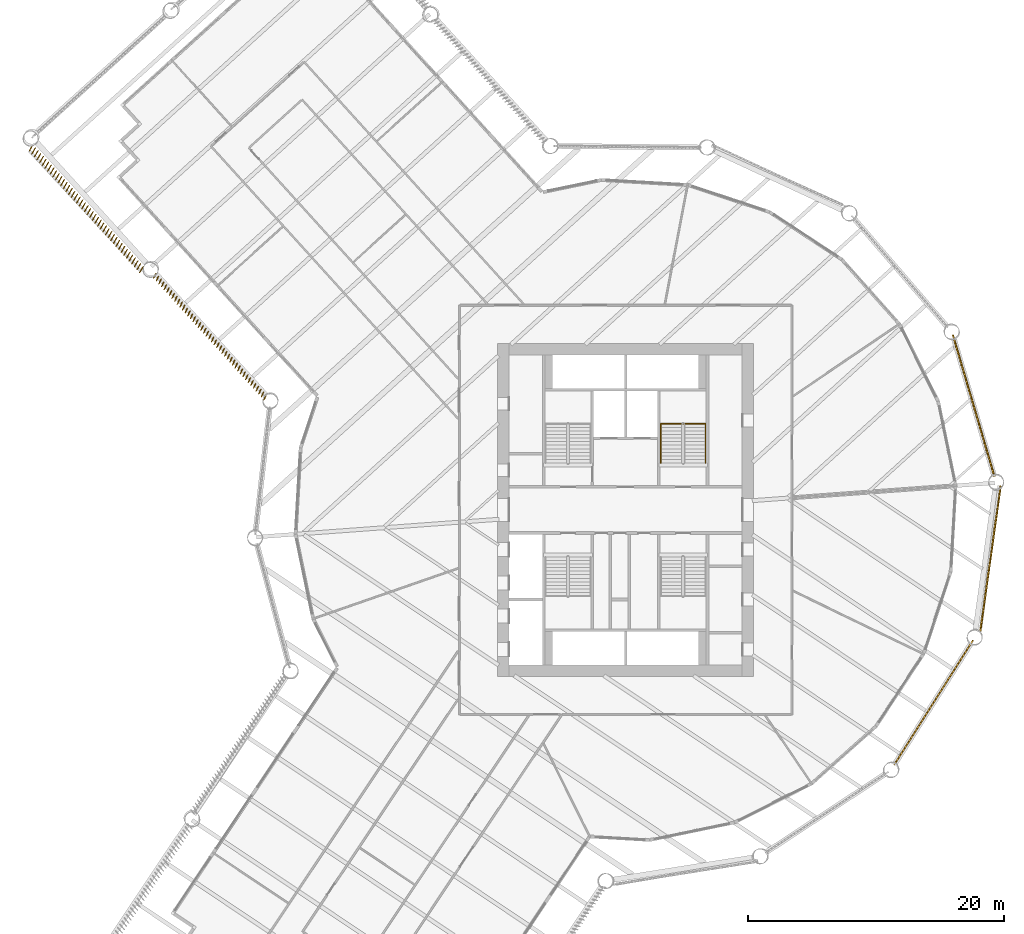
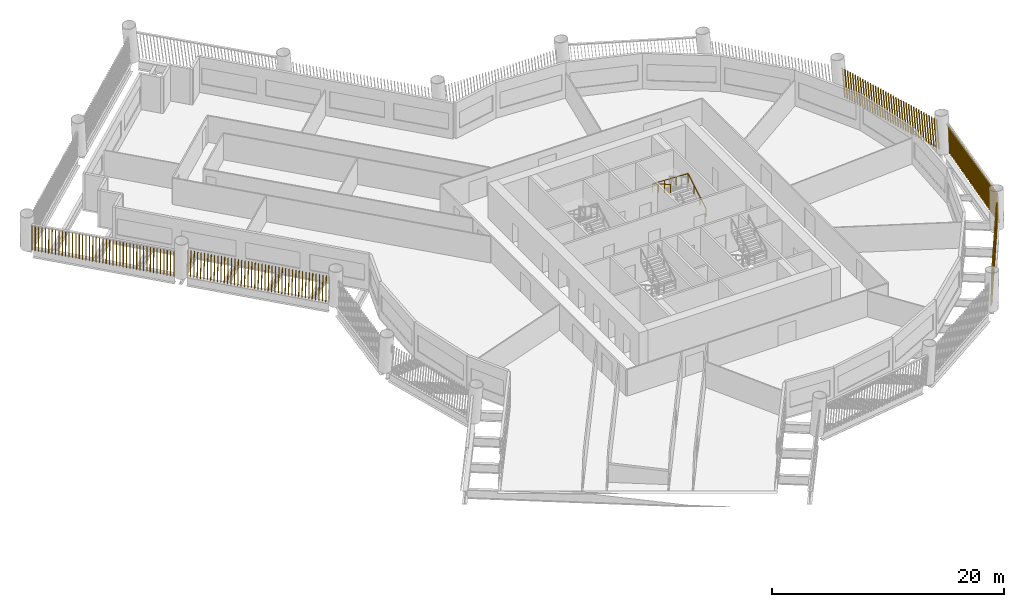
# One storey, part 13 of 15: 5 shading devices, 1 railing.
"""IFC4 building model written with IfcOpenShell, lengths in metres."""

import ifcopenshell
import ifcopenshell.guid

model = None  # the IFC model being written
_history = None  # IfcOwnerHistory: only IFC2X3 demands one
_inside = {}  # id of a spatial element -> (the spatial element, [elements in it])
_under = {}  # id of a project, library or spatial element -> (it, [spatial elements below it])
_declared = {}  # id of a project -> (the project, [libraries it declares])
_typed = {}  # id of a type object -> (the type object, [elements of that type])
_made_of = {}  # id of a material, layer set ... -> (it, [elements and type objects made of it])


def new_model(schema):
    """Start an empty IFC model of exactly this schema.

    Asked for "IFC4X3", IfcOpenShell would pick the latest addendum, in which some entities
    have other attributes; the version numbers below select the first issue.
    IFC2X3 requires an IfcOwnerHistory on every rooted entity: one is made here for all.
    """
    global model, _history
    if schema == "IFC4X3":
        model = ifcopenshell.file(schema_version=(4, 3, 0, 0))
    else:
        model = ifcopenshell.file(schema=schema)
    _inside.clear()
    _under.clear()
    _declared.clear()
    _typed.clear()
    _made_of.clear()
    _history = None
    if model.schema == "IFC2X3":
        org = make("IfcOrganization", Name="unknown")
        user = make(
            "IfcPersonAndOrganization",
            ThePerson=make("IfcPerson", FamilyName="unknown"),
            TheOrganization=org,
        )
        app = make(
            "IfcApplication",
            ApplicationDeveloper=org,
            Version="unknown",
            ApplicationFullName="unknown",
            ApplicationIdentifier="unknown",
        )
        _history = make(
            "IfcOwnerHistory",
            OwningUser=user,
            OwningApplication=app,
            ChangeAction="ADDED",
            CreationDate=0,
        )
    return model


def make(cls, **values):
    """One entity of the class cls with the attributes given. An attribute that is None is left unset."""
    return model.create_entity(
        cls, **{name: value for name, value in values.items() if value is not None}
    )


def rooted(cls, **values):
    """An entity with a GlobalId (a new one), such as an element, a storey or a relation."""
    return make(cls, GlobalId=ifcopenshell.guid.new(), OwnerHistory=_history, **values)


def si_unit(unit_type, name, prefix=None):
    """IfcSIUnit, for example si_unit("LENGTHUNIT", "METRE", prefix="MILLI")."""
    return make("IfcSIUnit", UnitType=unit_type, Prefix=prefix, Name=name)


def assignment(units):
    """IfcUnitAssignment: the units of a project."""
    return None if units is None else make("IfcUnitAssignment", Units=units)


def point(xyz):
    """IfcCartesianPoint."""
    return None if xyz is None else make("IfcCartesianPoint", Coordinates=xyz)


def direction(xyz):
    """IfcDirection."""
    return None if xyz is None else make("IfcDirection", DirectionRatios=xyz)


def frame(location, z_axis=None, x_axis=None):
    """IfcAxis2Placement3D, a coordinate frame: its origin and axes. An axis left out is left unset."""
    return make(
        "IfcAxis2Placement3D",
        Location=point(location),
        Axis=direction(z_axis),
        RefDirection=direction(x_axis),
    )


def frame_2d(location, x_axis=None):
    """IfcAxis2Placement2D, a coordinate frame in the plane: its origin and x axis."""
    return make(
        "IfcAxis2Placement2D", Location=point(location), RefDirection=direction(x_axis)
    )


def origin():
    """The frame at (0, 0, 0) with its axes left unset."""
    return frame((0.0, 0.0, 0.0))


def origin_2d():
    """The frame at (0, 0) in the plane with its x axis left unset."""
    return frame_2d((0.0, 0.0))


def place(relative_to, where):
    """IfcLocalPlacement: puts the frame where relative to a parent placement (None: the world)."""
    return make(
        "IfcLocalPlacement", PlacementRelTo=relative_to, RelativePlacement=where
    )


def context(
    kind, dimensions, precision=None, world=None, true_north=None, identifier=None
):
    """IfcGeometricRepresentationContext, for example the 3D "Model" context."""
    return make(
        "IfcGeometricRepresentationContext",
        ContextIdentifier=identifier,
        ContextType=kind,
        CoordinateSpaceDimension=dimensions,
        Precision=precision,
        WorldCoordinateSystem=world,
        TrueNorth=true_north,
    )


def subcontext(parent, identifier, kind, view, scale=None):
    """IfcGeometricRepresentationSubContext, for example "Body" below "Model"."""
    return make(
        "IfcGeometricRepresentationSubContext",
        ContextIdentifier=identifier,
        ContextType=kind,
        ParentContext=parent,
        TargetScale=scale,
        TargetView=view,
    )


def project(units=None, contexts=None):
    """IfcProject with its units and contexts."""
    return rooted(
        "IfcProject",
        Name="project",
        RepresentationContexts=contexts,
        UnitsInContext=assignment(units),
    )


def spatial(cls, under=None, at=None, **own):
    """A site, building, storey or space (cls), placed at a placement, below another one or the project."""
    s = rooted(cls, ObjectPlacement=at, **own)
    if under is not None:
        _under.setdefault(under.id(), (under, []))[1].append(s)
    return s


def profile(cls, at=None, kind="AREA", **sizes):
    """A parametric profile (cls). Its sizes go by their IFC names, for example OverallWidth=200.0."""
    return make(cls, ProfileType=kind, Position=at, **sizes)


def rectangle(**sizes):
    """IfcRectangleProfileDef."""
    return profile("IfcRectangleProfileDef", **sizes)


def circle(**sizes):
    """IfcCircleProfileDef."""
    return profile("IfcCircleProfileDef", **sizes)


def composite_profile(profiles, kind="AREA"):
    """IfcCompositeProfileDef: several profiles as one."""
    return make("IfcCompositeProfileDef", ProfileType=kind, Profiles=profiles)


def extrude(swept, where, along, depth):
    """IfcExtrudedAreaSolid: the profile swept, set in the frame where, extruded along a direction by depth."""
    return make(
        "IfcExtrudedAreaSolid",
        SweptArea=swept,
        Position=where,
        ExtrudedDirection=direction(along),
        Depth=depth,
    )


def shape(context_of_items, identifier, shape_type, items):
    """IfcShapeRepresentation: the items that make up one representation, for example the "Body"."""
    return make(
        "IfcShapeRepresentation",
        ContextOfItems=context_of_items,
        RepresentationIdentifier=identifier,
        RepresentationType=shape_type,
        Items=items,
    )


def material(Name=None, Category=None):
    """IfcMaterial."""
    return make("IfcMaterial", Name=Name, Category=Category)


def made_of(thing, what):
    """Note that an element or type object is made of a material, layer set ...; save() writes the relation."""
    if what is not None:
        _made_of.setdefault(what.id(), (what, []))[1].append(thing)
    return thing


def type_object(cls, material=None, **own):
    """A type object (cls), such as IfcWallType, which elements share."""
    return made_of(rooted(cls, **own), material)


def element(
    cls,
    number,
    at=None,
    inside=None,
    cuts=None,
    type_object=None,
    material=None,
    context=None,
    identifier="Body",
    shape_type=None,
    held_by="IfcProductDefinitionShape",
    body=None,
    shapes=None,
    **own,
):
    """One element of the class cls, such as IfcWall. Its Tag is "e" and its number.

    at: its placement. inside: the storey or other place that contains it. cuts: it is an
    opening in that element (IfcRelVoidsElement). A single representation is given by context,
    identifier, shape_type and body (its items); several are given by shapes. held_by: the class
    of the entity that holds the representations. save() writes the other relations.
    """
    e = rooted(cls, Tag="e%d" % number, ObjectPlacement=at, **own)
    if body is not None:
        shapes = [shape(context, identifier, shape_type, body)]
    if shapes is not None:
        e.Representation = make(held_by, Representations=shapes)
    if inside is not None:
        _inside.setdefault(inside.id(), (inside, []))[1].append(e)
    if cuts is not None:
        rooted(
            "IfcRelVoidsElement", RelatingBuildingElement=cuts, RelatedOpeningElement=e
        )
    if type_object is not None:
        _typed.setdefault(type_object.id(), (type_object, []))[1].append(e)
    return made_of(e, material)


def aggregate(whole, parts):
    """IfcRelAggregates: a whole, such as a stair, and the parts it consists of."""
    return rooted("IfcRelAggregates", RelatingObject=whole, RelatedObjects=parts)


def save(model, path):
    """Write the relations noted so far, then the file.

    IfcRelAggregates (storeys below a building ...), IfcRelContainedInSpatialStructure (elements
    in a storey), IfcRelDefinesByType, IfcRelAssociatesMaterial and IfcRelDeclares: one each for
    every whole, place, type object, material and project.
    """
    for whole, parts in _under.values():
        aggregate(whole, parts)
    for where, things in _inside.values():
        rooted(
            "IfcRelContainedInSpatialStructure",
            RelatedElements=things,
            RelatingStructure=where,
        )
    for kind, things in _typed.values():
        rooted("IfcRelDefinesByType", RelatedObjects=things, RelatingType=kind)
    for what, things in _made_of.values():
        rooted("IfcRelAssociatesMaterial", RelatedObjects=things, RelatingMaterial=what)
    for by, libraries in _declared.values():
        rooted("IfcRelDeclares", RelatingContext=by, RelatedDefinitions=libraries)
    model.write(path)


model = new_model("IFC4")

# Units and contexts
model_context = context("Model", 3, precision=1e-05, world=origin(), true_north=direction((0.0, 1.0)))
body_context = subcontext(model_context, "Body", "Model", "MODEL_VIEW")
ifc_project = project(units=[si_unit("LENGTHUNIT", "METRE"), si_unit("AREAUNIT", "SQUARE_METRE"), si_unit("VOLUMEUNIT", "CUBIC_METRE"), si_unit("PLANEANGLEUNIT", "RADIAN"), si_unit("MASSUNIT", "GRAM", prefix="KILO")], contexts=[model_context])

# Site, building, storey
site_placement = place(None, origin())
site = spatial("IfcSite", under=ifc_project, at=site_placement, CompositionType="ELEMENT")
building_placement = place(site_placement, origin())
building = spatial("IfcBuilding", under=site, at=building_placement, Name="Tarsis Ring Headquarters", CompositionType="ELEMENT")
storey_placement = place(building_placement, frame((0.0, 0.0, 59.5)))
storey = spatial("IfcBuildingStorey", under=building, at=storey_placement, Name="L12", CompositionType="ELEMENT", Elevation=59.5)

# Railing
ifc_material_1 = material(Name="Steel S355", Category="steel")
railing_type = type_object("IfcRailingType", Name="Core stair handrail 900", PredefinedType="HANDRAIL", material=ifc_material_1)
railing_placement = place(storey_placement, frame((6.25, 3.659912109375, 0.16259765625)))
element("IfcRailing", 1, at=railing_placement, inside=storey, type_object=railing_type, Name="L12 ST2 stair handrail 1", PredefinedType="HANDRAIL", context=body_context, shape_type="SweptSolid", body=[
    extrude(circle(Radius=0.02392578125, at=origin_2d()), frame((0.0, 0.0, 0.8759765625), z_axis=(0.0, 0.864920483161, 0.501908913857), x_axis=(-1.0, 0.0, 0.0)), (0.0, 0.0, 1.0), 3.56103515625),
    extrude(circle(Radius=0.02392578125, at=origin_2d()), frame((0.0, 3.080078125, 2.6630859375), z_axis=(-0.998922641604, 0.0, 0.046406422943), x_axis=(0.0, -1.0, 0.0)), (0.0, 0.0, 1.0), 3.503662109375),
    extrude(circle(Radius=0.02392578125, at=origin_2d()), frame((-3.5, 3.080078125, 2.82568359375), z_axis=(0.0, -0.864920483161, 0.501908913857), x_axis=(1.0, 0.0, 0.0)), (0.0, 0.0, 1.0), 3.56103515625),
    extrude(circle(Radius=0.02099609375, at=origin_2d()), origin(), (0.0, 0.0, 1.0), 0.851806640625),
    extrude(circle(Radius=0.02099609375, at=origin_2d()), frame((0.0, 1.026611328125, 0.595703125)), (0.0, 0.0, 1.0), 0.851806640625),
    extrude(circle(Radius=0.02099609375, at=origin_2d()), frame((0.0, 2.053466796875, 1.191650390625)), (0.0, 0.0, 1.0), 0.851806640625),
    extrude(circle(Radius=0.02099609375, at=origin_2d()), frame((0.0, 3.080078125, 1.787353515625)), (0.0, 0.0, 1.0), 0.851806640625),
    extrude(circle(Radius=0.02099609375, at=origin_2d()), frame((-1.166748046875, 3.080078125, 1.841552734375)), (0.0, 0.0, 1.0), 0.851806640625),
    extrude(circle(Radius=0.02099609375, at=origin_2d()), frame((-2.333251953125, 3.080078125, 1.895751953125)), (0.0, 0.0, 1.0), 0.851806640625),
    extrude(circle(Radius=0.02099609375, at=origin_2d()), frame((-3.5, 3.080078125, 1.949951171875)), (0.0, 0.0, 1.0), 0.851806640625),
    extrude(circle(Radius=0.02099609375, at=origin_2d()), frame((-3.5, 2.053466796875, 2.545654296875)), (0.0, 0.0, 1.0), 0.851806640625),
    extrude(circle(Radius=0.02099609375, at=origin_2d()), frame((-3.5, 1.026611328125, 3.1416015625)), (0.0, 0.0, 1.0), 0.851806640625),
    extrude(circle(Radius=0.02099609375, at=origin_2d()), frame((-3.5, 0.0, 3.7373046875)), (0.0, 0.0, 1.0), 0.851806640625),
])

# Shading devices
ifc_material_2 = material(Name="Terracotta baguette", Category="masonry")
shading_device_type = type_object("IfcShadingDeviceType", Name="Terracotta baguette screen", PredefinedType="USERDEFINED", material=ifc_material_2)
shading_device_1_placement = place(storey_placement, frame((20.991455078125, -19.932373046875, 0.0), z_axis=(0.0, 0.0, 1.0), x_axis=(0.534551610383, 0.845125444917, 0.0)))
element("IfcShadingDevice", 2, at=shading_device_1_placement, inside=storey, type_object=shading_device_type, Name="Baguette screen L12-09", ObjectType="Terracotta baguette screen", PredefinedType="USERDEFINED", context=body_context, shape_type="SweptSolid", body=[
    extrude(composite_profile([rectangle(XDim=0.06005859375, YDim=0.1201171875, at=frame_2d((0.030029296875, 0.0))), rectangle(XDim=0.06005859375, YDim=0.1201171875, at=frame_2d((0.33251953125, 0.0))), rectangle(XDim=0.06005859375, YDim=0.1201171875, at=frame_2d((0.634765625, 0.0))), rectangle(XDim=0.06005859375, YDim=0.1201171875, at=frame_2d((0.937255859375, 0.0))), rectangle(XDim=0.06005859375, YDim=0.1201171875, at=frame_2d((1.239501953125, 0.0))), rectangle(XDim=0.06005859375, YDim=0.1201171875, at=frame_2d((1.5419921875, 0.0))), rectangle(XDim=0.06005859375, YDim=0.1201171875, at=frame_2d((1.844482421875, 0.0))), rectangle(XDim=0.06005859375, YDim=0.1201171875, at=frame_2d((2.146728515625, 0.0))), rectangle(XDim=0.06005859375, YDim=0.1201171875, at=frame_2d((2.44921875, 0.0))), rectangle(XDim=0.06005859375, YDim=0.1201171875, at=frame_2d((2.751708984375, 0.0))), rectangle(XDim=0.06005859375, YDim=0.1201171875, at=frame_2d((3.053955078125, 0.0))), rectangle(XDim=0.06005859375, YDim=0.1201171875, at=frame_2d((3.3564453125, 0.0))), rectangle(XDim=0.06005859375, YDim=0.1201171875, at=frame_2d((3.65869140625, 0.0))), rectangle(XDim=0.06005859375, YDim=0.1201171875, at=frame_2d((3.961181640625, 0.0))), rectangle(XDim=0.06005859375, YDim=0.1201171875, at=frame_2d((4.263671875, 0.0))), rectangle(XDim=0.06005859375, YDim=0.1201171875, at=frame_2d((4.56591796875, 0.0))), rectangle(XDim=0.06005859375, YDim=0.1201171875, at=frame_2d((4.868408203125, 0.0))), rectangle(XDim=0.06005859375, YDim=0.1201171875, at=frame_2d((5.1708984375, 0.0))), rectangle(XDim=0.06005859375, YDim=0.1201171875, at=frame_2d((5.47314453125, 0.0))), rectangle(XDim=0.06005859375, YDim=0.1201171875, at=frame_2d((5.775634765625, 0.0))), rectangle(XDim=0.06005859375, YDim=0.1201171875, at=frame_2d((6.077880859375, 0.0))), rectangle(XDim=0.06005859375, YDim=0.1201171875, at=frame_2d((6.38037109375, 0.0))), rectangle(XDim=0.06005859375, YDim=0.1201171875, at=frame_2d((6.682861328125, 0.0))), rectangle(XDim=0.06005859375, YDim=0.1201171875, at=frame_2d((6.985107421875, 0.0))), rectangle(XDim=0.06005859375, YDim=0.1201171875, at=frame_2d((7.28759765625, 0.0))), rectangle(XDim=0.06005859375, YDim=0.1201171875, at=frame_2d((7.590087890625, 0.0))), rectangle(XDim=0.06005859375, YDim=0.1201171875, at=frame_2d((7.892333984375, 0.0))), rectangle(XDim=0.06005859375, YDim=0.1201171875, at=frame_2d((8.19482421875, 0.0))), rectangle(XDim=0.06005859375, YDim=0.1201171875, at=frame_2d((8.4970703125, 0.0))), rectangle(XDim=0.06005859375, YDim=0.1201171875, at=frame_2d((8.799560546875, 0.0))), rectangle(XDim=0.06005859375, YDim=0.1201171875, at=frame_2d((9.10205078125, 0.0))), rectangle(XDim=0.06005859375, YDim=0.1201171875, at=frame_2d((9.404296875, 0.0))), rectangle(XDim=0.06005859375, YDim=0.1201171875, at=frame_2d((9.706787109375, 0.0))), rectangle(XDim=0.06005859375, YDim=0.1201171875, at=frame_2d((10.00927734375, 0.0))), rectangle(XDim=0.06005859375, YDim=0.1201171875, at=frame_2d((10.3115234375, 0.0))), rectangle(XDim=0.06005859375, YDim=0.1201171875, at=frame_2d((10.614013671875, 0.0))), rectangle(XDim=0.06005859375, YDim=0.1201171875, at=frame_2d((10.916259765625, 0.0))), rectangle(XDim=0.06005859375, YDim=0.1201171875, at=frame_2d((11.21875, 0.0)))]), origin(), (0.10019967795, 0.000524947949, 0.994967209997), 2.967529296875),
])
shading_device_2_placement = place(storey_placement, frame((27.712646484375, -9.559814453125, 0.0), z_axis=(0.0, 0.0, 1.0), x_axis=(0.13866521975, 0.990341833966, 0.0)))
element("IfcShadingDevice", 3, at=shading_device_2_placement, inside=storey, type_object=shading_device_type, Name="Baguette screen L12-10", ObjectType="Terracotta baguette screen", PredefinedType="USERDEFINED", context=body_context, shape_type="SweptSolid", body=[
    extrude(composite_profile([rectangle(XDim=0.06005859375, YDim=0.1201171875, at=frame_2d((0.030029296875, 0.0))), rectangle(XDim=0.06005859375, YDim=0.1201171875, at=frame_2d((0.33251953125, 0.0))), rectangle(XDim=0.06005859375, YDim=0.1201171875, at=frame_2d((0.634765625, 0.0))), rectangle(XDim=0.06005859375, YDim=0.1201171875, at=frame_2d((0.937255859375, 0.0))), rectangle(XDim=0.06005859375, YDim=0.1201171875, at=frame_2d((1.239501953125, 0.0))), rectangle(XDim=0.06005859375, YDim=0.1201171875, at=frame_2d((1.5419921875, 0.0))), rectangle(XDim=0.06005859375, YDim=0.1201171875, at=frame_2d((1.844482421875, 0.0))), rectangle(XDim=0.06005859375, YDim=0.1201171875, at=frame_2d((2.146728515625, 0.0))), rectangle(XDim=0.06005859375, YDim=0.1201171875, at=frame_2d((2.44921875, 0.0))), rectangle(XDim=0.06005859375, YDim=0.1201171875, at=frame_2d((2.751708984375, 0.0))), rectangle(XDim=0.06005859375, YDim=0.1201171875, at=frame_2d((3.053955078125, 0.0))), rectangle(XDim=0.06005859375, YDim=0.1201171875, at=frame_2d((3.3564453125, 0.0))), rectangle(XDim=0.06005859375, YDim=0.1201171875, at=frame_2d((3.65869140625, 0.0))), rectangle(XDim=0.06005859375, YDim=0.1201171875, at=frame_2d((3.961181640625, 0.0))), rectangle(XDim=0.06005859375, YDim=0.1201171875, at=frame_2d((4.263671875, 0.0))), rectangle(XDim=0.06005859375, YDim=0.1201171875, at=frame_2d((4.56591796875, 0.0))), rectangle(XDim=0.06005859375, YDim=0.1201171875, at=frame_2d((4.868408203125, 0.0))), rectangle(XDim=0.06005859375, YDim=0.1201171875, at=frame_2d((5.1708984375, 0.0))), rectangle(XDim=0.06005859375, YDim=0.1201171875, at=frame_2d((5.47314453125, 0.0))), rectangle(XDim=0.06005859375, YDim=0.1201171875, at=frame_2d((5.775634765625, 0.0))), rectangle(XDim=0.06005859375, YDim=0.1201171875, at=frame_2d((6.077880859375, 0.0))), rectangle(XDim=0.06005859375, YDim=0.1201171875, at=frame_2d((6.38037109375, 0.0))), rectangle(XDim=0.06005859375, YDim=0.1201171875, at=frame_2d((6.682861328125, 0.0))), rectangle(XDim=0.06005859375, YDim=0.1201171875, at=frame_2d((6.985107421875, 0.0))), rectangle(XDim=0.06005859375, YDim=0.1201171875, at=frame_2d((7.28759765625, 0.0))), rectangle(XDim=0.06005859375, YDim=0.1201171875, at=frame_2d((7.590087890625, 0.0))), rectangle(XDim=0.06005859375, YDim=0.1201171875, at=frame_2d((7.892333984375, 0.0))), rectangle(XDim=0.06005859375, YDim=0.1201171875, at=frame_2d((8.19482421875, 0.0))), rectangle(XDim=0.06005859375, YDim=0.1201171875, at=frame_2d((8.4970703125, 0.0))), rectangle(XDim=0.06005859375, YDim=0.1201171875, at=frame_2d((8.799560546875, 0.0))), rectangle(XDim=0.06005859375, YDim=0.1201171875, at=frame_2d((9.10205078125, 0.0))), rectangle(XDim=0.06005859375, YDim=0.1201171875, at=frame_2d((9.404296875, 0.0))), rectangle(XDim=0.06005859375, YDim=0.1201171875, at=frame_2d((9.706787109375, 0.0))), rectangle(XDim=0.06005859375, YDim=0.1201171875, at=frame_2d((10.00927734375, 0.0))), rectangle(XDim=0.06005859375, YDim=0.1201171875, at=frame_2d((10.3115234375, 0.0))), rectangle(XDim=0.06005859375, YDim=0.1201171875, at=frame_2d((10.614013671875, 0.0))), rectangle(XDim=0.06005859375, YDim=0.1201171875, at=frame_2d((10.916259765625, 0.0))), rectangle(XDim=0.06005859375, YDim=0.1201171875, at=frame_2d((11.21875, 0.0)))]), origin(), (0.101510530517, 0.000530350712, 0.994834323353), 2.968017578125),
])
shading_device_3_placement = place(storey_placement, frame((28.82958984375, 2.607177734375, 0.0), z_axis=(0.0, 0.0, 1.0), x_axis=(-0.281866521975, 0.959457406403, 0.0)))
element("IfcShadingDevice", 4, at=shading_device_3_placement, inside=storey, type_object=shading_device_type, Name="Baguette screen L12-11", ObjectType="Terracotta baguette screen", PredefinedType="USERDEFINED", context=body_context, shape_type="SweptSolid", body=[
    extrude(composite_profile([rectangle(XDim=0.06005859375, YDim=0.1201171875, at=frame_2d((0.030029296875, 0.0))), rectangle(XDim=0.06005859375, YDim=0.1201171875, at=frame_2d((0.33251953125, 0.0))), rectangle(XDim=0.06005859375, YDim=0.1201171875, at=frame_2d((0.634765625, 0.0))), rectangle(XDim=0.06005859375, YDim=0.1201171875, at=frame_2d((0.937255859375, 0.0))), rectangle(XDim=0.06005859375, YDim=0.1201171875, at=frame_2d((1.239501953125, 0.0))), rectangle(XDim=0.06005859375, YDim=0.1201171875, at=frame_2d((1.5419921875, 0.0))), rectangle(XDim=0.06005859375, YDim=0.1201171875, at=frame_2d((1.844482421875, 0.0))), rectangle(XDim=0.06005859375, YDim=0.1201171875, at=frame_2d((2.146728515625, 0.0))), rectangle(XDim=0.06005859375, YDim=0.1201171875, at=frame_2d((2.44921875, 0.0))), rectangle(XDim=0.06005859375, YDim=0.1201171875, at=frame_2d((2.751708984375, 0.0))), rectangle(XDim=0.06005859375, YDim=0.1201171875, at=frame_2d((3.053955078125, 0.0))), rectangle(XDim=0.06005859375, YDim=0.1201171875, at=frame_2d((3.3564453125, 0.0))), rectangle(XDim=0.06005859375, YDim=0.1201171875, at=frame_2d((3.65869140625, 0.0))), rectangle(XDim=0.06005859375, YDim=0.1201171875, at=frame_2d((3.961181640625, 0.0))), rectangle(XDim=0.06005859375, YDim=0.1201171875, at=frame_2d((4.263671875, 0.0))), rectangle(XDim=0.06005859375, YDim=0.1201171875, at=frame_2d((4.56591796875, 0.0))), rectangle(XDim=0.06005859375, YDim=0.1201171875, at=frame_2d((4.868408203125, 0.0))), rectangle(XDim=0.06005859375, YDim=0.1201171875, at=frame_2d((5.1708984375, 0.0))), rectangle(XDim=0.06005859375, YDim=0.1201171875, at=frame_2d((5.47314453125, 0.0))), rectangle(XDim=0.06005859375, YDim=0.1201171875, at=frame_2d((5.775634765625, 0.0))), rectangle(XDim=0.06005859375, YDim=0.1201171875, at=frame_2d((6.077880859375, 0.0))), rectangle(XDim=0.06005859375, YDim=0.1201171875, at=frame_2d((6.38037109375, 0.0))), rectangle(XDim=0.06005859375, YDim=0.1201171875, at=frame_2d((6.682861328125, 0.0))), rectangle(XDim=0.06005859375, YDim=0.1201171875, at=frame_2d((6.985107421875, 0.0))), rectangle(XDim=0.06005859375, YDim=0.1201171875, at=frame_2d((7.28759765625, 0.0))), rectangle(XDim=0.06005859375, YDim=0.1201171875, at=frame_2d((7.590087890625, 0.0))), rectangle(XDim=0.06005859375, YDim=0.1201171875, at=frame_2d((7.892333984375, 0.0))), rectangle(XDim=0.06005859375, YDim=0.1201171875, at=frame_2d((8.19482421875, 0.0))), rectangle(XDim=0.06005859375, YDim=0.1201171875, at=frame_2d((8.4970703125, 0.0))), rectangle(XDim=0.06005859375, YDim=0.1201171875, at=frame_2d((8.799560546875, 0.0))), rectangle(XDim=0.06005859375, YDim=0.1201171875, at=frame_2d((9.10205078125, 0.0))), rectangle(XDim=0.06005859375, YDim=0.1201171875, at=frame_2d((9.404296875, 0.0))), rectangle(XDim=0.06005859375, YDim=0.1201171875, at=frame_2d((9.706787109375, 0.0))), rectangle(XDim=0.06005859375, YDim=0.1201171875, at=frame_2d((10.00927734375, 0.0))), rectangle(XDim=0.06005859375, YDim=0.1201171875, at=frame_2d((10.3115234375, 0.0))), rectangle(XDim=0.06005859375, YDim=0.1201171875, at=frame_2d((10.614013671875, 0.0))), rectangle(XDim=0.06005859375, YDim=0.1201171875, at=frame_2d((10.916259765625, 0.0))), rectangle(XDim=0.06005859375, YDim=0.1201171875, at=frame_2d((11.21875, 0.0)))]), origin(), (0.100200690428, 0.000523950928, 0.994967108558), 2.967529296875),
])
shading_device_4_placement = place(storey_placement, frame((-46.372802734375, 28.55078125, 0.0), z_axis=(0.0, 0.0, 1.0), x_axis=(0.671718891916, -0.740803814714, 0.0)))
element("IfcShadingDevice", 5, at=shading_device_4_placement, inside=storey, type_object=shading_device_type, Name="Baguette screen L12-19", ObjectType="Terracotta baguette screen", PredefinedType="USERDEFINED", context=body_context, shape_type="SweptSolid", body=[
    extrude(composite_profile([rectangle(XDim=0.06005859375, YDim=0.1201171875, at=frame_2d((0.030029296875, 0.0))), rectangle(XDim=0.06005859375, YDim=0.1201171875, at=frame_2d((0.335693359375, 0.0))), rectangle(XDim=0.06005859375, YDim=0.1201171875, at=frame_2d((0.6416015625, 0.0))), rectangle(XDim=0.06005859375, YDim=0.1201171875, at=frame_2d((0.947265625, 0.0))), rectangle(XDim=0.06005859375, YDim=0.1201171875, at=frame_2d((1.253173828125, 0.0))), rectangle(XDim=0.06005859375, YDim=0.1201171875, at=frame_2d((1.558837890625, 0.0))), rectangle(XDim=0.06005859375, YDim=0.1201171875, at=frame_2d((1.864501953125, 0.0))), rectangle(XDim=0.06005859375, YDim=0.1201171875, at=frame_2d((2.17041015625, 0.0))), rectangle(XDim=0.06005859375, YDim=0.1201171875, at=frame_2d((2.47607421875, 0.0))), rectangle(XDim=0.06005859375, YDim=0.1201171875, at=frame_2d((2.781982421875, 0.0))), rectangle(XDim=0.06005859375, YDim=0.1201171875, at=frame_2d((3.087646484375, 0.0))), rectangle(XDim=0.06005859375, YDim=0.1201171875, at=frame_2d((3.393310546875, 0.0))), rectangle(XDim=0.06005859375, YDim=0.1201171875, at=frame_2d((3.69921875, 0.0))), rectangle(XDim=0.06005859375, YDim=0.1201171875, at=frame_2d((4.0048828125, 0.0))), rectangle(XDim=0.06005859375, YDim=0.1201171875, at=frame_2d((4.310791015625, 0.0))), rectangle(XDim=0.06005859375, YDim=0.1201171875, at=frame_2d((4.616455078125, 0.0))), rectangle(XDim=0.06005859375, YDim=0.1201171875, at=frame_2d((4.922119140625, 0.0))), rectangle(XDim=0.06005859375, YDim=0.1201171875, at=frame_2d((5.22802734375, 0.0))), rectangle(XDim=0.06005859375, YDim=0.1201171875, at=frame_2d((5.53369140625, 0.0))), rectangle(XDim=0.06005859375, YDim=0.1201171875, at=frame_2d((5.839599609375, 0.0))), rectangle(XDim=0.06005859375, YDim=0.1201171875, at=frame_2d((6.145263671875, 0.0))), rectangle(XDim=0.06005859375, YDim=0.1201171875, at=frame_2d((6.451171875, 0.0))), rectangle(XDim=0.06005859375, YDim=0.1201171875, at=frame_2d((6.7568359375, 0.0))), rectangle(XDim=0.06005859375, YDim=0.1201171875, at=frame_2d((7.0625, 0.0))), rectangle(XDim=0.06005859375, YDim=0.1201171875, at=frame_2d((7.368408203125, 0.0))), rectangle(XDim=0.06005859375, YDim=0.1201171875, at=frame_2d((7.674072265625, 0.0))), rectangle(XDim=0.06005859375, YDim=0.1201171875, at=frame_2d((7.97998046875, 0.0))), rectangle(XDim=0.06005859375, YDim=0.1201171875, at=frame_2d((8.28564453125, 0.0))), rectangle(XDim=0.06005859375, YDim=0.1201171875, at=frame_2d((8.59130859375, 0.0))), rectangle(XDim=0.06005859375, YDim=0.1201171875, at=frame_2d((8.897216796875, 0.0))), rectangle(XDim=0.06005859375, YDim=0.1201171875, at=frame_2d((9.202880859375, 0.0))), rectangle(XDim=0.06005859375, YDim=0.1201171875, at=frame_2d((9.5087890625, 0.0))), rectangle(XDim=0.06005859375, YDim=0.1201171875, at=frame_2d((9.814453125, 0.0))), rectangle(XDim=0.06005859375, YDim=0.1201171875, at=frame_2d((10.1201171875, 0.0))), rectangle(XDim=0.06005859375, YDim=0.1201171875, at=frame_2d((10.426025390625, 0.0))), rectangle(XDim=0.06005859375, YDim=0.1201171875, at=frame_2d((10.731689453125, 0.0))), rectangle(XDim=0.06005859375, YDim=0.1201171875, at=frame_2d((11.03759765625, 0.0))), rectangle(XDim=0.06005859375, YDim=0.1201171875, at=frame_2d((11.34326171875, 0.0))), rectangle(XDim=0.06005859375, YDim=0.1201171875, at=frame_2d((11.64892578125, 0.0))), rectangle(XDim=0.06005859375, YDim=0.1201171875, at=frame_2d((11.954833984375, 0.0))), rectangle(XDim=0.06005859375, YDim=0.1201171875, at=frame_2d((12.260498046875, 0.0))), rectangle(XDim=0.06005859375, YDim=0.1201171875, at=frame_2d((12.56640625, 0.0))), rectangle(XDim=0.06005859375, YDim=0.1201171875, at=frame_2d((12.8720703125, 0.0)))]), origin(), (0.053886080144, -0.159994815922, 0.985645955323), 2.99560546875),
])
shading_device_5_placement = place(storey_placement, frame((-36.756591796875, 18.503662109375, 0.0), z_axis=(0.0, 0.0, 1.0), x_axis=(0.671731602551, -0.740798910061, 0.0)))
element("IfcShadingDevice", 6, at=shading_device_5_placement, inside=storey, type_object=shading_device_type, Name="Baguette screen L12-20", ObjectType="Terracotta baguette screen", PredefinedType="USERDEFINED", context=body_context, shape_type="SweptSolid", body=[
    extrude(composite_profile([rectangle(XDim=0.06005859375, YDim=0.1201171875, at=frame_2d((0.030029296875, 0.0))), rectangle(XDim=0.06005859375, YDim=0.1201171875, at=frame_2d((0.335693359375, 0.0))), rectangle(XDim=0.06005859375, YDim=0.1201171875, at=frame_2d((0.6416015625, 0.0))), rectangle(XDim=0.06005859375, YDim=0.1201171875, at=frame_2d((0.947265625, 0.0))), rectangle(XDim=0.06005859375, YDim=0.1201171875, at=frame_2d((1.253173828125, 0.0))), rectangle(XDim=0.06005859375, YDim=0.1201171875, at=frame_2d((1.558837890625, 0.0))), rectangle(XDim=0.06005859375, YDim=0.1201171875, at=frame_2d((1.864501953125, 0.0))), rectangle(XDim=0.06005859375, YDim=0.1201171875, at=frame_2d((2.17041015625, 0.0))), rectangle(XDim=0.06005859375, YDim=0.1201171875, at=frame_2d((2.47607421875, 0.0))), rectangle(XDim=0.06005859375, YDim=0.1201171875, at=frame_2d((2.781982421875, 0.0))), rectangle(XDim=0.06005859375, YDim=0.1201171875, at=frame_2d((3.087646484375, 0.0))), rectangle(XDim=0.06005859375, YDim=0.1201171875, at=frame_2d((3.393310546875, 0.0))), rectangle(XDim=0.06005859375, YDim=0.1201171875, at=frame_2d((3.69921875, 0.0))), rectangle(XDim=0.06005859375, YDim=0.1201171875, at=frame_2d((4.0048828125, 0.0))), rectangle(XDim=0.06005859375, YDim=0.1201171875, at=frame_2d((4.310791015625, 0.0))), rectangle(XDim=0.06005859375, YDim=0.1201171875, at=frame_2d((4.616455078125, 0.0))), rectangle(XDim=0.06005859375, YDim=0.1201171875, at=frame_2d((4.922119140625, 0.0))), rectangle(XDim=0.06005859375, YDim=0.1201171875, at=frame_2d((5.22802734375, 0.0))), rectangle(XDim=0.06005859375, YDim=0.1201171875, at=frame_2d((5.53369140625, 0.0))), rectangle(XDim=0.06005859375, YDim=0.1201171875, at=frame_2d((5.839599609375, 0.0))), rectangle(XDim=0.06005859375, YDim=0.1201171875, at=frame_2d((6.145263671875, 0.0))), rectangle(XDim=0.06005859375, YDim=0.1201171875, at=frame_2d((6.451171875, 0.0))), rectangle(XDim=0.06005859375, YDim=0.1201171875, at=frame_2d((6.7568359375, 0.0))), rectangle(XDim=0.06005859375, YDim=0.1201171875, at=frame_2d((7.0625, 0.0))), rectangle(XDim=0.06005859375, YDim=0.1201171875, at=frame_2d((7.368408203125, 0.0))), rectangle(XDim=0.06005859375, YDim=0.1201171875, at=frame_2d((7.674072265625, 0.0))), rectangle(XDim=0.06005859375, YDim=0.1201171875, at=frame_2d((7.97998046875, 0.0))), rectangle(XDim=0.06005859375, YDim=0.1201171875, at=frame_2d((8.28564453125, 0.0))), rectangle(XDim=0.06005859375, YDim=0.1201171875, at=frame_2d((8.59130859375, 0.0))), rectangle(XDim=0.06005859375, YDim=0.1201171875, at=frame_2d((8.897216796875, 0.0))), rectangle(XDim=0.06005859375, YDim=0.1201171875, at=frame_2d((9.202880859375, 0.0))), rectangle(XDim=0.06005859375, YDim=0.1201171875, at=frame_2d((9.5087890625, 0.0))), rectangle(XDim=0.06005859375, YDim=0.1201171875, at=frame_2d((9.814453125, 0.0))), rectangle(XDim=0.06005859375, YDim=0.1201171875, at=frame_2d((10.1201171875, 0.0))), rectangle(XDim=0.06005859375, YDim=0.1201171875, at=frame_2d((10.426025390625, 0.0))), rectangle(XDim=0.06005859375, YDim=0.1201171875, at=frame_2d((10.731689453125, 0.0))), rectangle(XDim=0.06005859375, YDim=0.1201171875, at=frame_2d((11.03759765625, 0.0))), rectangle(XDim=0.06005859375, YDim=0.1201171875, at=frame_2d((11.34326171875, 0.0))), rectangle(XDim=0.06005859375, YDim=0.1201171875, at=frame_2d((11.64892578125, 0.0))), rectangle(XDim=0.06005859375, YDim=0.1201171875, at=frame_2d((11.954833984375, 0.0))), rectangle(XDim=0.06005859375, YDim=0.1201171875, at=frame_2d((12.260498046875, 0.0))), rectangle(XDim=0.06005859375, YDim=0.1201171875, at=frame_2d((12.56640625, 0.0))), rectangle(XDim=0.06005859375, YDim=0.1201171875, at=frame_2d((12.8720703125, 0.0)))]), origin(), (0.052672585452, -0.112156811777, 0.992293529312), 2.9755859375),
])

save(model, "model.ifc")
